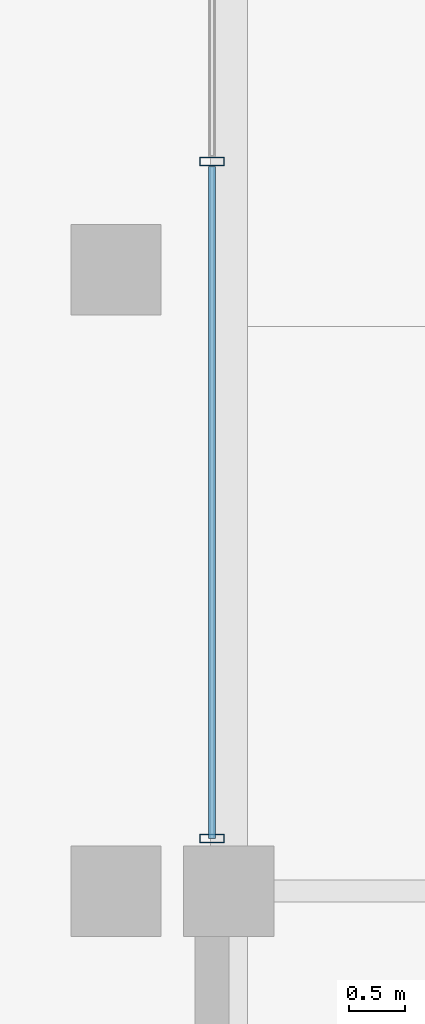
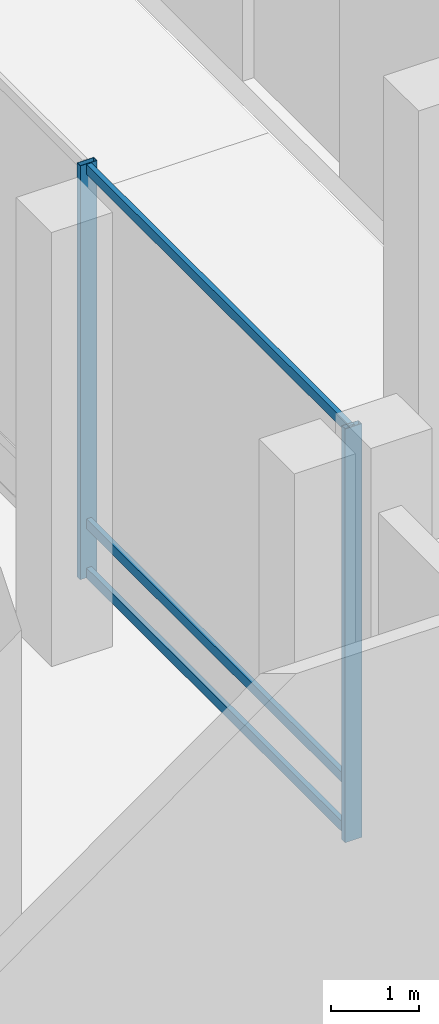
# One storey, part 9 of 34: 5 members, 1 element without a shape of its own.
"""IFC4 building model written with IfcOpenShell, lengths in metres."""

from ifc_helpers import new_model, si_unit, direction, frame, origin, origin_2d, place, context, subcontext, project, spatial, hollow_rectangle, extrude, material, layer, layer_set, material_profile, profile_set, type_object, element, aggregate, save


model = new_model("IFC4")

# Units and contexts
model_context = context("Model", 3, precision=1e-05, world=origin(), true_north=direction((0.0, 1.0)))
body_context = subcontext(model_context, "Body", "Model", "MODEL_VIEW")
ifc_project = project(units=[si_unit("LENGTHUNIT", "METRE"), si_unit("AREAUNIT", "SQUARE_METRE"), si_unit("VOLUMEUNIT", "CUBIC_METRE"), si_unit("PLANEANGLEUNIT", "RADIAN"), si_unit("MASSUNIT", "GRAM", prefix="KILO")], contexts=[model_context])

# Site, building, storey
site_placement = place(None, origin())
site = spatial("IfcSite", under=ifc_project, at=site_placement, CompositionType="ELEMENT")
building_placement = place(site_placement, origin())
building = spatial("IfcBuilding", under=site, at=building_placement, Name="Barlavira Tower and Art Museum", CompositionType="ELEMENT")
storey_placement = place(building_placement, origin())
storey = spatial("IfcBuildingStorey", under=building, at=storey_placement, Name="L00", CompositionType="ELEMENT", Elevation=0.0)

# Curtain wall, members
ifc_material_1 = material(Name="Low-iron coastal laminated glass", Category="glass")
ifc_layer = layer(ifc_material_1, 0.219970703125, Name="Low-iron coastal laminated glass")
ifc_layer_set = layer_set([ifc_layer], Name="Low-iron coastal laminated glass")
curtain_wall_type = type_object("IfcCurtainWallType", Name="Double-Height Podium Arcade Storefront Curtain Wall", PredefinedType="NOTDEFINED", material=ifc_layer_set)
curtain_wall_placement = place(storey_placement, origin())
curtain_wall = element("IfcCurtainWall", 1, at=curtain_wall_placement, inside=storey, type_object=curtain_wall_type, Name="L00 Curtain Wall CW5-L00-ES", PredefinedType="NOTDEFINED")
ifc_material_2 = material(Name="Pale anodised aluminium", Category="aluminium")
ifc_material_profile_1 = material_profile(ifc_material_2, hollow_rectangle(XDim=0.074951171875, YDim=0.219970703125, WallThickness=0.0048828125, at=origin_2d()), Name="ALU-MULL 75x220x5")
ifc_profile_set_1 = profile_set([ifc_material_profile_1], Name="Pale anodised aluminium")
member_type_1 = type_object("IfcMemberType", Name="Curtain Wall Heavy Pale-Metal Mullion 75x220", PredefinedType="MULLION", material=ifc_profile_set_1)
member_1_placement = place(storey_placement, frame((22.85009765625, -12.534912109375, 0.0), z_axis=(0.0, 0.0, 1.0), x_axis=(0.0, 1.0, 0.0)))
member_1 = element("IfcMember", 2, at=member_1_placement, type_object=member_type_1, Name="CW5-L00-ES Mullion 0", PredefinedType="MULLION", context=body_context, shape_type="SweptSolid", body=[
    extrude(hollow_rectangle(XDim=0.074951171875, YDim=0.219970703125, WallThickness=0.0048828125, at=origin_2d()), origin(), (0.0, 0.0, 1.0), 5.719970703125),
])
member_2_placement = place(storey_placement, frame((22.85009765625, -6.5400390625, 0.0), z_axis=(0.0, 0.0, 1.0), x_axis=(0.0, 1.0, 0.0)))
member_2 = element("IfcMember", 3, at=member_2_placement, type_object=member_type_1, Name="CW5-L00-ES Mullion 1", PredefinedType="MULLION", context=body_context, shape_type="SweptSolid", body=[
    extrude(hollow_rectangle(XDim=0.074951171875, YDim=0.219970703125, WallThickness=0.0048828125, at=origin_2d()), origin(), (0.0, 0.0, 1.0), 5.719970703125),
])
ifc_material_profile_2 = material_profile(ifc_material_2, hollow_rectangle(XDim=0.06494140625, YDim=0.139892578125, WallThickness=0.00390625, at=origin_2d()), Name="ALU-TRAN 65x140x4")
ifc_profile_set_2 = profile_set([ifc_material_profile_2], Name="Pale anodised aluminium")
member_type_2 = type_object("IfcMemberType", Name="Curtain Wall Pale-Metal Transom 65x140", PredefinedType="USERDEFINED", material=ifc_profile_set_2)
member_3_placement = place(storey_placement, frame((22.85009765625, -12.534912109375, 0.070068359375), z_axis=(0.0, 1.0, 0.0), x_axis=(-1.0, 0.0, 0.0)))
member_3 = element("IfcMember", 4, at=member_3_placement, type_object=member_type_2, Name="CW5-L00-ES Transom 0.1", ObjectType="TRANSOM", PredefinedType="USERDEFINED", context=body_context, shape_type="SweptSolid", body=[
    extrude(hollow_rectangle(XDim=0.06494140625, YDim=0.139892578125, WallThickness=0.00390625, at=origin_2d()), origin(), (0.0, 0.0, 1.0), 5.949951171875),
])
member_4_placement = place(storey_placement, frame((22.85009765625, -12.534912109375, 0.75), z_axis=(0.0, 1.0, 0.0), x_axis=(-1.0, 0.0, 0.0)))
member_4 = element("IfcMember", 5, at=member_4_placement, type_object=member_type_2, Name="CW5-L00-ES Transom 0.2", ObjectType="TRANSOM", PredefinedType="USERDEFINED", context=body_context, shape_type="SweptSolid", body=[
    extrude(hollow_rectangle(XDim=0.06494140625, YDim=0.139892578125, WallThickness=0.00390625, at=origin_2d()), origin(), (0.0, 0.0, 1.0), 5.949951171875),
])
member_5_placement = place(storey_placement, frame((22.85009765625, -12.534912109375, 5.64990234375), z_axis=(0.0, 1.0, 0.0), x_axis=(-1.0, 0.0, 0.0)))
member_5 = element("IfcMember", 6, at=member_5_placement, type_object=member_type_2, Name="CW5-L00-ES Transom 0.3", ObjectType="TRANSOM", PredefinedType="USERDEFINED", context=body_context, shape_type="SweptSolid", body=[
    extrude(hollow_rectangle(XDim=0.06494140625, YDim=0.139892578125, WallThickness=0.00390625, at=origin_2d()), origin(), (0.0, 0.0, 1.0), 5.949951171875),
])
aggregate(curtain_wall, [member_1, member_2, member_3, member_4, member_5])

save(model, "model.ifc")
